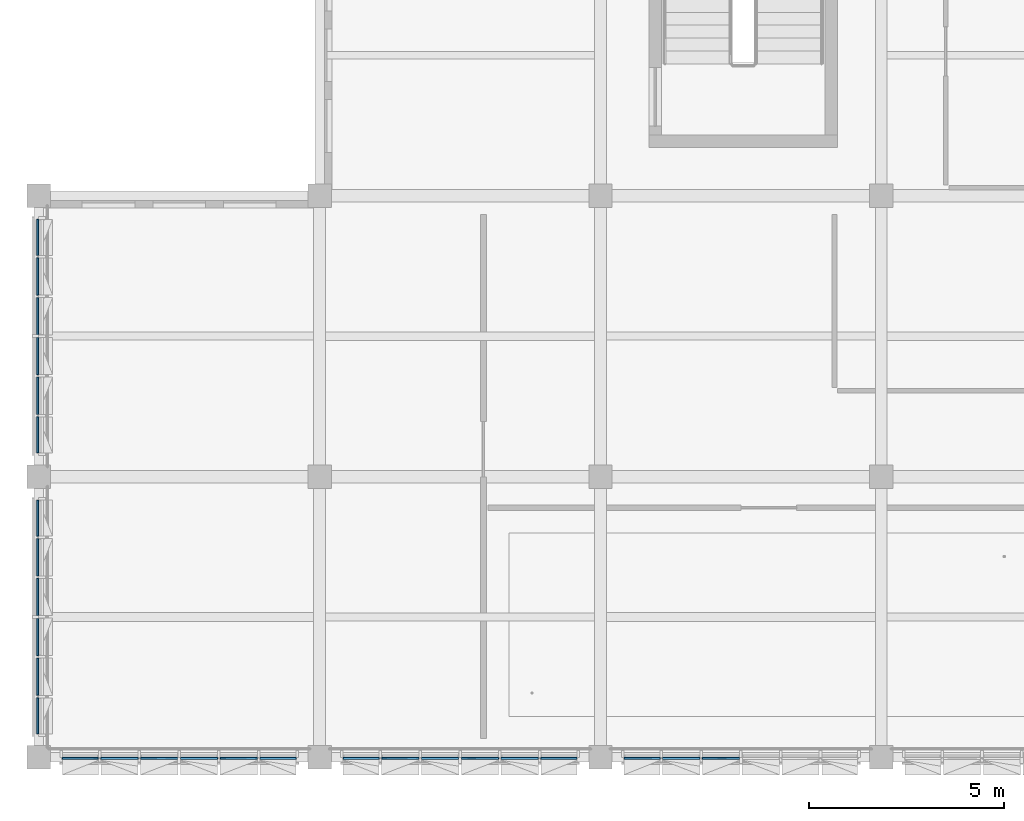
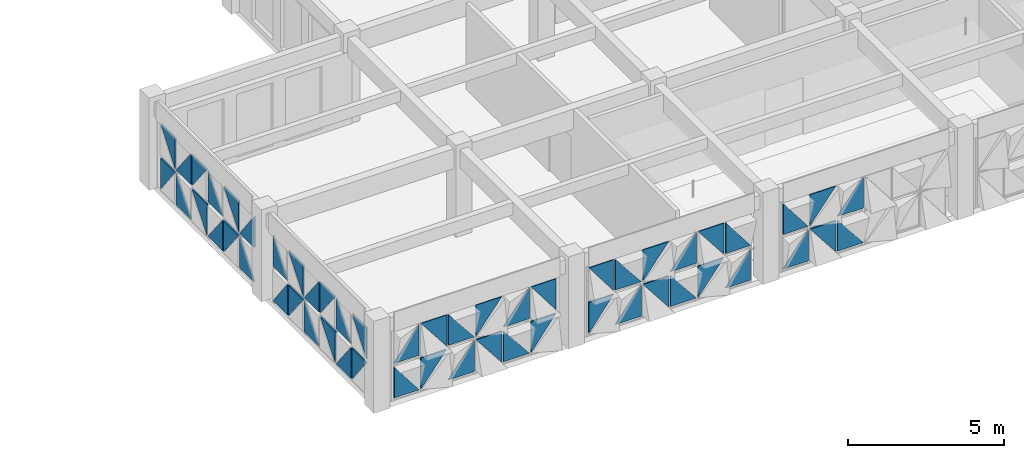
# One storey, part 32 of 99: 54 plates, 5 elements without a shape of their own.
"""IFC4 building model written with IfcOpenShell, lengths in metres."""

import ifcopenshell
import ifcopenshell.guid

model = None  # the IFC model being written
_history = None  # IfcOwnerHistory: only IFC2X3 demands one
_inside = {}  # id of a spatial element -> (the spatial element, [elements in it])
_under = {}  # id of a project, library or spatial element -> (it, [spatial elements below it])
_declared = {}  # id of a project -> (the project, [libraries it declares])
_typed = {}  # id of a type object -> (the type object, [elements of that type])
_made_of = {}  # id of a material, layer set ... -> (it, [elements and type objects made of it])


def new_model(schema):
    """Start an empty IFC model of exactly this schema.

    Asked for "IFC4X3", IfcOpenShell would pick the latest addendum, in which some entities
    have other attributes; the version numbers below select the first issue.
    IFC2X3 requires an IfcOwnerHistory on every rooted entity: one is made here for all.
    """
    global model, _history
    if schema == "IFC4X3":
        model = ifcopenshell.file(schema_version=(4, 3, 0, 0))
    else:
        model = ifcopenshell.file(schema=schema)
    _inside.clear()
    _under.clear()
    _declared.clear()
    _typed.clear()
    _made_of.clear()
    _history = None
    if model.schema == "IFC2X3":
        org = make("IfcOrganization", Name="unknown")
        user = make(
            "IfcPersonAndOrganization",
            ThePerson=make("IfcPerson", FamilyName="unknown"),
            TheOrganization=org,
        )
        app = make(
            "IfcApplication",
            ApplicationDeveloper=org,
            Version="unknown",
            ApplicationFullName="unknown",
            ApplicationIdentifier="unknown",
        )
        _history = make(
            "IfcOwnerHistory",
            OwningUser=user,
            OwningApplication=app,
            ChangeAction="ADDED",
            CreationDate=0,
        )
    return model


def make(cls, **values):
    """One entity of the class cls with the attributes given. An attribute that is None is left unset."""
    return model.create_entity(
        cls, **{name: value for name, value in values.items() if value is not None}
    )


def rooted(cls, **values):
    """An entity with a GlobalId (a new one), such as an element, a storey or a relation."""
    return make(cls, GlobalId=ifcopenshell.guid.new(), OwnerHistory=_history, **values)


def si_unit(unit_type, name, prefix=None):
    """IfcSIUnit, for example si_unit("LENGTHUNIT", "METRE", prefix="MILLI")."""
    return make("IfcSIUnit", UnitType=unit_type, Prefix=prefix, Name=name)


def assignment(units):
    """IfcUnitAssignment: the units of a project."""
    return None if units is None else make("IfcUnitAssignment", Units=units)


def point(xyz):
    """IfcCartesianPoint."""
    return None if xyz is None else make("IfcCartesianPoint", Coordinates=xyz)


def direction(xyz):
    """IfcDirection."""
    return None if xyz is None else make("IfcDirection", DirectionRatios=xyz)


def frame(location, z_axis=None, x_axis=None):
    """IfcAxis2Placement3D, a coordinate frame: its origin and axes. An axis left out is left unset."""
    return make(
        "IfcAxis2Placement3D",
        Location=point(location),
        Axis=direction(z_axis),
        RefDirection=direction(x_axis),
    )


def origin():
    """The frame at (0, 0, 0) with its axes left unset."""
    return frame((0.0, 0.0, 0.0))


def place(relative_to, where):
    """IfcLocalPlacement: puts the frame where relative to a parent placement (None: the world)."""
    return make(
        "IfcLocalPlacement", PlacementRelTo=relative_to, RelativePlacement=where
    )


def context(
    kind, dimensions, precision=None, world=None, true_north=None, identifier=None
):
    """IfcGeometricRepresentationContext, for example the 3D "Model" context."""
    return make(
        "IfcGeometricRepresentationContext",
        ContextIdentifier=identifier,
        ContextType=kind,
        CoordinateSpaceDimension=dimensions,
        Precision=precision,
        WorldCoordinateSystem=world,
        TrueNorth=true_north,
    )


def subcontext(parent, identifier, kind, view, scale=None):
    """IfcGeometricRepresentationSubContext, for example "Body" below "Model"."""
    return make(
        "IfcGeometricRepresentationSubContext",
        ContextIdentifier=identifier,
        ContextType=kind,
        ParentContext=parent,
        TargetScale=scale,
        TargetView=view,
    )


def project(units=None, contexts=None):
    """IfcProject with its units and contexts."""
    return rooted(
        "IfcProject",
        Name="project",
        RepresentationContexts=contexts,
        UnitsInContext=assignment(units),
    )


def spatial(cls, under=None, at=None, **own):
    """A site, building, storey or space (cls), placed at a placement, below another one or the project."""
    s = rooted(cls, ObjectPlacement=at, **own)
    if under is not None:
        _under.setdefault(under.id(), (under, []))[1].append(s)
    return s


def polyline(points):
    """IfcPolyline through the points."""
    return make("IfcPolyline", Points=[point(p) for p in points])


def outline(outer, holes=None, kind="AREA"):
    """IfcArbitraryClosedProfileDef: a profile drawn as a closed curve; with holes, ...WithVoids."""
    if holes is None:
        return make("IfcArbitraryClosedProfileDef", ProfileType=kind, OuterCurve=outer)
    return make(
        "IfcArbitraryProfileDefWithVoids",
        ProfileType=kind,
        OuterCurve=outer,
        InnerCurves=holes,
    )


def extrude(swept, where, along, depth):
    """IfcExtrudedAreaSolid: the profile swept, set in the frame where, extruded along a direction by depth."""
    return make(
        "IfcExtrudedAreaSolid",
        SweptArea=swept,
        Position=where,
        ExtrudedDirection=direction(along),
        Depth=depth,
    )


def shape(context_of_items, identifier, shape_type, items):
    """IfcShapeRepresentation: the items that make up one representation, for example the "Body"."""
    return make(
        "IfcShapeRepresentation",
        ContextOfItems=context_of_items,
        RepresentationIdentifier=identifier,
        RepresentationType=shape_type,
        Items=items,
    )


def material(Name=None, Category=None):
    """IfcMaterial."""
    return make("IfcMaterial", Name=Name, Category=Category)


def layer(
    of_material, thickness, ventilated=None, Name=None, Category=None, Priority=None
):
    """IfcMaterialLayer: one layer of a wall or slab, of a material (None: an air gap)."""
    return make(
        "IfcMaterialLayer",
        Material=of_material,
        LayerThickness=thickness,
        IsVentilated=ventilated,
        Name=Name,
        Category=Category,
        Priority=Priority,
    )


def layer_set(layers, Name=None):
    """IfcMaterialLayerSet."""
    return make("IfcMaterialLayerSet", MaterialLayers=layers, LayerSetName=Name)


def made_of(thing, what):
    """Note that an element or type object is made of a material, layer set ...; save() writes the relation."""
    if what is not None:
        _made_of.setdefault(what.id(), (what, []))[1].append(thing)
    return thing


def type_object(cls, material=None, **own):
    """A type object (cls), such as IfcWallType, which elements share."""
    return made_of(rooted(cls, **own), material)


def element(
    cls,
    number,
    at=None,
    inside=None,
    cuts=None,
    type_object=None,
    material=None,
    context=None,
    identifier="Body",
    shape_type=None,
    held_by="IfcProductDefinitionShape",
    body=None,
    shapes=None,
    **own,
):
    """One element of the class cls, such as IfcWall. Its Tag is "e" and its number.

    at: its placement. inside: the storey or other place that contains it. cuts: it is an
    opening in that element (IfcRelVoidsElement). A single representation is given by context,
    identifier, shape_type and body (its items); several are given by shapes. held_by: the class
    of the entity that holds the representations. save() writes the other relations.
    """
    e = rooted(cls, Tag="e%d" % number, ObjectPlacement=at, **own)
    if body is not None:
        shapes = [shape(context, identifier, shape_type, body)]
    if shapes is not None:
        e.Representation = make(held_by, Representations=shapes)
    if inside is not None:
        _inside.setdefault(inside.id(), (inside, []))[1].append(e)
    if cuts is not None:
        rooted(
            "IfcRelVoidsElement", RelatingBuildingElement=cuts, RelatedOpeningElement=e
        )
    if type_object is not None:
        _typed.setdefault(type_object.id(), (type_object, []))[1].append(e)
    return made_of(e, material)


def aggregate(whole, parts):
    """IfcRelAggregates: a whole, such as a stair, and the parts it consists of."""
    return rooted("IfcRelAggregates", RelatingObject=whole, RelatedObjects=parts)


def save(model, path):
    """Write the relations noted so far, then the file.

    IfcRelAggregates (storeys below a building ...), IfcRelContainedInSpatialStructure (elements
    in a storey), IfcRelDefinesByType, IfcRelAssociatesMaterial and IfcRelDeclares: one each for
    every whole, place, type object, material and project.
    """
    for whole, parts in _under.values():
        aggregate(whole, parts)
    for where, things in _inside.values():
        rooted(
            "IfcRelContainedInSpatialStructure",
            RelatedElements=things,
            RelatingStructure=where,
        )
    for kind, things in _typed.values():
        rooted("IfcRelDefinesByType", RelatedObjects=things, RelatingType=kind)
    for what, things in _made_of.values():
        rooted("IfcRelAssociatesMaterial", RelatedObjects=things, RelatingMaterial=what)
    for by, libraries in _declared.values():
        rooted("IfcRelDeclares", RelatingContext=by, RelatedDefinitions=libraries)
    model.write(path)


model = new_model("IFC4")

# Units and contexts
model_context = context("Model", 3, precision=1e-05, world=origin(), true_north=direction((0.0, 1.0)))
body_context = subcontext(model_context, "Body", "Model", "MODEL_VIEW")
ifc_project = project(units=[si_unit("LENGTHUNIT", "METRE"), si_unit("AREAUNIT", "SQUARE_METRE"), si_unit("VOLUMEUNIT", "CUBIC_METRE"), si_unit("PLANEANGLEUNIT", "RADIAN"), si_unit("MASSUNIT", "GRAM", prefix="KILO")], contexts=[model_context])

# Site, building, storey
site_placement = place(None, origin())
site = spatial("IfcSite", under=ifc_project, at=site_placement, CompositionType="ELEMENT")
building_placement = place(site_placement, origin())
building = spatial("IfcBuilding", under=site, at=building_placement, Name="Alvorim Cloister Faculty of Sciences", CompositionType="ELEMENT")
storey_placement = place(building_placement, frame((0.0, 0.0, 12.14990234375)))
storey = spatial("IfcBuildingStorey", under=building, at=storey_placement, Name="L03", CompositionType="ELEMENT", Elevation=12.14990234375)

# Curtain wall, plates
ifc_material_1 = material(Name="Aluminium and Low-E Glass Curtain Wall", Category="aluminium")
curtain_wall_type = type_object("IfcCurtainWallType", Name="CW-TRI-6120x2850", PredefinedType="USERDEFINED", material=ifc_material_1)
curtain_wall_1_placement = place(storey_placement, origin())
curtain_wall_1 = element("IfcCurtainWall", 1, at=curtain_wall_1_placement, inside=storey, type_object=curtain_wall_type, Name="L03 Diagonal Cassette Curtain Wall CW-0150", ObjectType="UNITISED CURTAIN WALL", PredefinedType="USERDEFINED")
ifc_material_2 = material(Name="Double Low-E Laminated Glass", Category="glass")
ifc_layer = layer(ifc_material_2, 0.0400390625)
ifc_layer_set = layer_set([ifc_layer], Name="Double Low-E Laminated Glass")
plate_type = type_object("IfcPlateType", Name="PN-GLZ-40", PredefinedType="CURTAIN_PANEL", material=ifc_layer_set)
plate_1_placement = place(storey_placement, frame((15.0048828125, -0.02490234375, 0.14013671875), z_axis=(0.0, 0.0, 1.0), x_axis=(1.0, 0.0, 0.0)))
plate_1 = element("IfcPlate", 2, at=plate_1_placement, type_object=plate_type, Name="Diagonal Glazed Triangle TRI-BR", PredefinedType="CURTAIN_PANEL", context=body_context, shape_type="SweptSolid", body=[
    extrude(outline(polyline([(0.001953125, 0.0), (0.922607421875, 0.0), (0.922607421875, 1.212890625), (0.001953125, 0.0)])), frame((0.0, 0.02490234375, 0.0), z_axis=(0.0, -1.0, 0.0), x_axis=(1.0, 0.0, 0.0)), (0.0, 0.0, 1.0), 0.050048828125),
])
plate_2_placement = place(storey_placement, frame((15.0048828125, -0.02490234375, 1.4951171875), z_axis=(0.0, 0.0, 1.0), x_axis=(1.0, 0.0, 0.0)))
plate_2 = element("IfcPlate", 3, at=plate_2_placement, type_object=plate_type, Name="Diagonal Glazed Triangle TRI-BL", PredefinedType="CURTAIN_PANEL", context=body_context, shape_type="SweptSolid", body=[
    extrude(outline(polyline([(0.0, 0.0), (0.920654296875, 0.0), (0.0, 1.213134765625), (0.0, 0.0)])), frame((0.0, 0.02490234375, 0.0), z_axis=(0.0, -1.0, 0.0), x_axis=(1.0, 0.0, 0.0)), (0.0, 0.0, 1.0), 0.050048828125),
])
plate_3_placement = place(storey_placement, frame((15.992431640625, -0.02490234375, 0.14013671875), z_axis=(0.0, 0.0, 1.0), x_axis=(1.0, 0.0, 0.0)))
plate_3 = element("IfcPlate", 4, at=plate_3_placement, type_object=plate_type, Name="Diagonal Glazed Triangle TRI-TR", PredefinedType="CURTAIN_PANEL", context=body_context, shape_type="SweptSolid", body=[
    extrude(outline(polyline([(0.955078125, 0.001953125), (0.955078125, 1.21484375), (0.001953125, 1.21484375), (0.955078125, 0.001953125)])), frame((0.0, 0.02490234375, 0.0), z_axis=(0.0, -1.0, 0.0), x_axis=(1.0, 0.0, 0.0)), (0.0, 0.0, 1.0), 0.050048828125),
])
plate_4_placement = place(storey_placement, frame((15.992431640625, -0.02490234375, 1.4951171875), z_axis=(0.0, 0.0, 1.0), x_axis=(1.0, 0.0, 0.0)))
plate_4 = element("IfcPlate", 5, at=plate_4_placement, type_object=plate_type, Name="Diagonal Glazed Triangle TRI-TL", PredefinedType="CURTAIN_PANEL", context=body_context, shape_type="SweptSolid", body=[
    extrude(outline(polyline([(0.953125, 1.215087890625), (0.0, 1.215087890625), (0.0, 0.001953125), (0.953125, 1.215087890625)])), frame((0.0, 0.02490234375, 0.0), z_axis=(0.0, -1.0, 0.0), x_axis=(1.0, 0.0, 0.0)), (0.0, 0.0, 1.0), 0.050048828125),
])
plate_5_placement = place(storey_placement, frame((17.012451171875, -0.02490234375, 0.14013671875), z_axis=(0.0, 0.0, 1.0), x_axis=(1.0, 0.0, 0.0)))
plate_5 = element("IfcPlate", 6, at=plate_5_placement, type_object=plate_type, Name="Diagonal Glazed Triangle TRI-BL", PredefinedType="CURTAIN_PANEL", context=body_context, shape_type="SweptSolid", body=[
    extrude(outline(polyline([(0.0, 0.0), (0.953125, 0.0), (0.0, 1.212890625), (0.0, 0.0)])), frame((0.0, 0.02490234375, 0.0), z_axis=(0.0, -1.0, 0.0), x_axis=(1.0, 0.0, 0.0)), (0.0, 0.0, 1.0), 0.050048828125),
])
plate_6_placement = place(storey_placement, frame((17.012451171875, -0.02490234375, 1.4951171875), z_axis=(0.0, 0.0, 1.0), x_axis=(1.0, 0.0, 0.0)))
plate_6 = element("IfcPlate", 7, at=plate_6_placement, type_object=plate_type, Name="Diagonal Glazed Triangle TRI-BR", PredefinedType="CURTAIN_PANEL", context=body_context, shape_type="SweptSolid", body=[
    extrude(outline(polyline([(0.001953125, 0.0), (0.955078125, 0.0), (0.955078125, 1.213134765625), (0.001953125, 0.0)])), frame((0.0, 0.02490234375, 0.0), z_axis=(0.0, -1.0, 0.0), x_axis=(1.0, 0.0, 0.0)), (0.0, 0.0, 1.0), 0.050048828125),
])
aggregate(curtain_wall_1, [plate_1, plate_2, plate_3, plate_4, plate_5, plate_6])

curtain_wall_2_placement = place(storey_placement, origin())
curtain_wall_2 = element("IfcCurtainWall", 8, at=curtain_wall_2_placement, inside=storey, type_object=curtain_wall_type, Name="L03 Diagonal Cassette Curtain Wall CW-0151", ObjectType="UNITISED CURTAIN WALL", PredefinedType="USERDEFINED")
plate_7_placement = place(storey_placement, frame((7.804931640625, -0.02490234375, 0.14013671875), z_axis=(0.0, 0.0, 1.0), x_axis=(1.0, 0.0, 0.0)))
plate_7 = element("IfcPlate", 9, at=plate_7_placement, type_object=plate_type, Name="Diagonal Glazed Triangle TRI-TL", PredefinedType="CURTAIN_PANEL", context=body_context, shape_type="SweptSolid", body=[
    extrude(outline(polyline([(0.920654296875, 1.21484375), (0.0, 1.21484375), (0.0, 0.001953125), (0.920654296875, 1.21484375)])), frame((0.0, 0.02490234375, 0.0), z_axis=(0.0, -1.0, 0.0), x_axis=(1.0, 0.0, 0.0)), (0.0, 0.0, 1.0), 0.050048828125),
])
plate_8_placement = place(storey_placement, frame((7.804931640625, -0.02490234375, 1.4951171875), z_axis=(0.0, 0.0, 1.0), x_axis=(1.0, 0.0, 0.0)))
plate_8 = element("IfcPlate", 10, at=plate_8_placement, type_object=plate_type, Name="Diagonal Glazed Triangle TRI-TR", PredefinedType="CURTAIN_PANEL", context=body_context, shape_type="SweptSolid", body=[
    extrude(outline(polyline([(0.922607421875, 0.001953125), (0.922607421875, 1.215087890625), (0.001953125, 1.215087890625), (0.922607421875, 0.001953125)])), frame((0.0, 0.02490234375, 0.0), z_axis=(0.0, -1.0, 0.0), x_axis=(1.0, 0.0, 0.0)), (0.0, 0.0, 1.0), 0.050048828125),
])
plate_9_placement = place(storey_placement, frame((8.79248046875, -0.02490234375, 0.14013671875), z_axis=(0.0, 0.0, 1.0), x_axis=(1.0, 0.0, 0.0)))
plate_9 = element("IfcPlate", 11, at=plate_9_placement, type_object=plate_type, Name="Diagonal Glazed Triangle TRI-BR", PredefinedType="CURTAIN_PANEL", context=body_context, shape_type="SweptSolid", body=[
    extrude(outline(polyline([(0.001953125, 0.0), (0.955078125, 0.0), (0.955078125, 1.212890625), (0.001953125, 0.0)])), frame((0.0, 0.02490234375, 0.0), z_axis=(0.0, -1.0, 0.0), x_axis=(1.0, 0.0, 0.0)), (0.0, 0.0, 1.0), 0.050048828125),
])
plate_10_placement = place(storey_placement, frame((8.79248046875, -0.02490234375, 1.4951171875), z_axis=(0.0, 0.0, 1.0), x_axis=(1.0, 0.0, 0.0)))
plate_10 = element("IfcPlate", 12, at=plate_10_placement, type_object=plate_type, Name="Diagonal Glazed Triangle TRI-BL", PredefinedType="CURTAIN_PANEL", context=body_context, shape_type="SweptSolid", body=[
    extrude(outline(polyline([(0.0, 0.0), (0.953125, 0.0), (0.0, 1.213134765625), (0.0, 0.0)])), frame((0.0, 0.02490234375, 0.0), z_axis=(0.0, -1.0, 0.0), x_axis=(1.0, 0.0, 0.0)), (0.0, 0.0, 1.0), 0.050048828125),
])
plate_11_placement = place(storey_placement, frame((9.8125, -0.02490234375, 0.14013671875), z_axis=(0.0, 0.0, 1.0), x_axis=(1.0, 0.0, 0.0)))
plate_11 = element("IfcPlate", 13, at=plate_11_placement, type_object=plate_type, Name="Diagonal Glazed Triangle TRI-TR", PredefinedType="CURTAIN_PANEL", context=body_context, shape_type="SweptSolid", body=[
    extrude(outline(polyline([(0.955078125, 0.001953125), (0.955078125, 1.21484375), (0.001953125, 1.21484375), (0.955078125, 0.001953125)])), frame((0.0, 0.02490234375, 0.0), z_axis=(0.0, -1.0, 0.0), x_axis=(1.0, 0.0, 0.0)), (0.0, 0.0, 1.0), 0.050048828125),
])
plate_12_placement = place(storey_placement, frame((9.8125, -0.02490234375, 1.4951171875), z_axis=(0.0, 0.0, 1.0), x_axis=(1.0, 0.0, 0.0)))
plate_12 = element("IfcPlate", 14, at=plate_12_placement, type_object=plate_type, Name="Diagonal Glazed Triangle TRI-TL", PredefinedType="CURTAIN_PANEL", context=body_context, shape_type="SweptSolid", body=[
    extrude(outline(polyline([(0.953125, 1.215087890625), (0.0, 1.215087890625), (0.0, 0.001953125), (0.953125, 1.215087890625)])), frame((0.0, 0.02490234375, 0.0), z_axis=(0.0, -1.0, 0.0), x_axis=(1.0, 0.0, 0.0)), (0.0, 0.0, 1.0), 0.050048828125),
])
plate_13_placement = place(storey_placement, frame((10.83251953125, -0.02490234375, 0.14013671875), z_axis=(0.0, 0.0, 1.0), x_axis=(1.0, 0.0, 0.0)))
plate_13 = element("IfcPlate", 15, at=plate_13_placement, type_object=plate_type, Name="Diagonal Glazed Triangle TRI-BL", PredefinedType="CURTAIN_PANEL", context=body_context, shape_type="SweptSolid", body=[
    extrude(outline(polyline([(0.0, 0.0), (0.953125, 0.0), (0.0, 1.212890625), (0.0, 0.0)])), frame((0.0, 0.02490234375, 0.0), z_axis=(0.0, -1.0, 0.0), x_axis=(1.0, 0.0, 0.0)), (0.0, 0.0, 1.0), 0.050048828125),
])
plate_14_placement = place(storey_placement, frame((10.83251953125, -0.02490234375, 1.4951171875), z_axis=(0.0, 0.0, 1.0), x_axis=(1.0, 0.0, 0.0)))
plate_14 = element("IfcPlate", 16, at=plate_14_placement, type_object=plate_type, Name="Diagonal Glazed Triangle TRI-BR", PredefinedType="CURTAIN_PANEL", context=body_context, shape_type="SweptSolid", body=[
    extrude(outline(polyline([(0.001953125, 0.0), (0.955078125, 0.0), (0.955078125, 1.213134765625), (0.001953125, 0.0)])), frame((0.0, 0.02490234375, 0.0), z_axis=(0.0, -1.0, 0.0), x_axis=(1.0, 0.0, 0.0)), (0.0, 0.0, 1.0), 0.050048828125),
])
plate_15_placement = place(storey_placement, frame((11.8525390625, -0.02490234375, 0.14013671875), z_axis=(0.0, 0.0, 1.0), x_axis=(1.0, 0.0, 0.0)))
plate_15 = element("IfcPlate", 17, at=plate_15_placement, type_object=plate_type, Name="Diagonal Glazed Triangle TRI-TL", PredefinedType="CURTAIN_PANEL", context=body_context, shape_type="SweptSolid", body=[
    extrude(outline(polyline([(0.953125, 1.21484375), (0.0, 1.21484375), (0.0, 0.001953125), (0.953125, 1.21484375)])), frame((0.0, 0.02490234375, 0.0), z_axis=(0.0, -1.0, 0.0), x_axis=(1.0, 0.0, 0.0)), (0.0, 0.0, 1.0), 0.050048828125),
])
plate_16_placement = place(storey_placement, frame((11.8525390625, -0.02490234375, 1.4951171875), z_axis=(0.0, 0.0, 1.0), x_axis=(1.0, 0.0, 0.0)))
plate_16 = element("IfcPlate", 18, at=plate_16_placement, type_object=plate_type, Name="Diagonal Glazed Triangle TRI-TR", PredefinedType="CURTAIN_PANEL", context=body_context, shape_type="SweptSolid", body=[
    extrude(outline(polyline([(0.955078125, 0.001953125), (0.955078125, 1.215087890625), (0.001953125, 1.215087890625), (0.955078125, 0.001953125)])), frame((0.0, 0.02490234375, 0.0), z_axis=(0.0, -1.0, 0.0), x_axis=(1.0, 0.0, 0.0)), (0.0, 0.0, 1.0), 0.050048828125),
])
plate_17_placement = place(storey_placement, frame((12.87255859375, -0.02490234375, 0.14013671875), z_axis=(0.0, 0.0, 1.0), x_axis=(1.0, 0.0, 0.0)))
plate_17 = element("IfcPlate", 19, at=plate_17_placement, type_object=plate_type, Name="Diagonal Glazed Triangle TRI-BR", PredefinedType="CURTAIN_PANEL", context=body_context, shape_type="SweptSolid", body=[
    extrude(outline(polyline([(0.001953125, 0.0), (0.922607421875, 0.0), (0.922607421875, 1.212890625), (0.001953125, 0.0)])), frame((0.0, 0.02490234375, 0.0), z_axis=(0.0, -1.0, 0.0), x_axis=(1.0, 0.0, 0.0)), (0.0, 0.0, 1.0), 0.050048828125),
])
plate_18_placement = place(storey_placement, frame((12.87255859375, -0.02490234375, 1.4951171875), z_axis=(0.0, 0.0, 1.0), x_axis=(1.0, 0.0, 0.0)))
plate_18 = element("IfcPlate", 20, at=plate_18_placement, type_object=plate_type, Name="Diagonal Glazed Triangle TRI-BL", PredefinedType="CURTAIN_PANEL", context=body_context, shape_type="SweptSolid", body=[
    extrude(outline(polyline([(0.0, 0.0), (0.920654296875, 0.0), (0.0, 1.213134765625), (0.0, 0.0)])), frame((0.0, 0.02490234375, 0.0), z_axis=(0.0, -1.0, 0.0), x_axis=(1.0, 0.0, 0.0)), (0.0, 0.0, 1.0), 0.050048828125),
])
aggregate(curtain_wall_2, [plate_7, plate_8, plate_9, plate_10, plate_11, plate_12, plate_13, plate_14, plate_15, plate_16, plate_17, plate_18])

curtain_wall_3_placement = place(storey_placement, origin())
curtain_wall_3 = element("IfcCurtainWall", 21, at=curtain_wall_3_placement, inside=storey, type_object=curtain_wall_type, Name="L03 Diagonal Cassette Curtain Wall CW-0152", ObjectType="UNITISED CURTAIN WALL", PredefinedType="USERDEFINED")
plate_19_placement = place(storey_placement, frame((0.60498046875, -0.02490234375, 0.14013671875), z_axis=(0.0, 0.0, 1.0), x_axis=(1.0, 0.0, 0.0)))
plate_19 = element("IfcPlate", 22, at=plate_19_placement, type_object=plate_type, Name="Diagonal Glazed Triangle TRI-BL", PredefinedType="CURTAIN_PANEL", context=body_context, shape_type="SweptSolid", body=[
    extrude(outline(polyline([(0.0, 0.0), (0.920654296875, 0.0), (0.0, 1.212890625), (0.0, 0.0)])), frame((0.0, 0.02490234375, 0.0), z_axis=(0.0, -1.0, 0.0), x_axis=(1.0, 0.0, 0.0)), (0.0, 0.0, 1.0), 0.050048828125),
])
plate_20_placement = place(storey_placement, frame((0.60498046875, -0.02490234375, 1.4951171875), z_axis=(0.0, 0.0, 1.0), x_axis=(1.0, 0.0, 0.0)))
plate_20 = element("IfcPlate", 23, at=plate_20_placement, type_object=plate_type, Name="Diagonal Glazed Triangle TRI-BR", PredefinedType="CURTAIN_PANEL", context=body_context, shape_type="SweptSolid", body=[
    extrude(outline(polyline([(0.001953125, 0.0), (0.922607421875, 0.0), (0.922607421875, 1.213134765625), (0.001953125, 0.0)])), frame((0.0, 0.02490234375, 0.0), z_axis=(0.0, -1.0, 0.0), x_axis=(1.0, 0.0, 0.0)), (0.0, 0.0, 1.0), 0.050048828125),
])
plate_21_placement = place(storey_placement, frame((1.592529296875, -0.02490234375, 0.14013671875), z_axis=(0.0, 0.0, 1.0), x_axis=(1.0, 0.0, 0.0)))
plate_21 = element("IfcPlate", 24, at=plate_21_placement, type_object=plate_type, Name="Diagonal Glazed Triangle TRI-TL", PredefinedType="CURTAIN_PANEL", context=body_context, shape_type="SweptSolid", body=[
    extrude(outline(polyline([(0.953125, 1.21484375), (0.0, 1.21484375), (0.0, 0.001953125), (0.953125, 1.21484375)])), frame((0.0, 0.02490234375, 0.0), z_axis=(0.0, -1.0, 0.0), x_axis=(1.0, 0.0, 0.0)), (0.0, 0.0, 1.0), 0.050048828125),
])
plate_22_placement = place(storey_placement, frame((1.592529296875, -0.02490234375, 1.4951171875), z_axis=(0.0, 0.0, 1.0), x_axis=(1.0, 0.0, 0.0)))
plate_22 = element("IfcPlate", 25, at=plate_22_placement, type_object=plate_type, Name="Diagonal Glazed Triangle TRI-TR", PredefinedType="CURTAIN_PANEL", context=body_context, shape_type="SweptSolid", body=[
    extrude(outline(polyline([(0.955078125, 0.001953125), (0.955078125, 1.215087890625), (0.001953125, 1.215087890625), (0.955078125, 0.001953125)])), frame((0.0, 0.02490234375, 0.0), z_axis=(0.0, -1.0, 0.0), x_axis=(1.0, 0.0, 0.0)), (0.0, 0.0, 1.0), 0.050048828125),
])
plate_23_placement = place(storey_placement, frame((2.612548828125, -0.02490234375, 0.14013671875), z_axis=(0.0, 0.0, 1.0), x_axis=(1.0, 0.0, 0.0)))
plate_23 = element("IfcPlate", 26, at=plate_23_placement, type_object=plate_type, Name="Diagonal Glazed Triangle TRI-BR", PredefinedType="CURTAIN_PANEL", context=body_context, shape_type="SweptSolid", body=[
    extrude(outline(polyline([(0.001953125, 0.0), (0.955078125, 0.0), (0.955078125, 1.212890625), (0.001953125, 0.0)])), frame((0.0, 0.02490234375, 0.0), z_axis=(0.0, -1.0, 0.0), x_axis=(1.0, 0.0, 0.0)), (0.0, 0.0, 1.0), 0.050048828125),
])
plate_24_placement = place(storey_placement, frame((2.612548828125, -0.02490234375, 1.4951171875), z_axis=(0.0, 0.0, 1.0), x_axis=(1.0, 0.0, 0.0)))
plate_24 = element("IfcPlate", 27, at=plate_24_placement, type_object=plate_type, Name="Diagonal Glazed Triangle TRI-BL", PredefinedType="CURTAIN_PANEL", context=body_context, shape_type="SweptSolid", body=[
    extrude(outline(polyline([(0.0, 0.0), (0.953125, 0.0), (0.0, 1.213134765625), (0.0, 0.0)])), frame((0.0, 0.02490234375, 0.0), z_axis=(0.0, -1.0, 0.0), x_axis=(1.0, 0.0, 0.0)), (0.0, 0.0, 1.0), 0.050048828125),
])
plate_25_placement = place(storey_placement, frame((3.632568359375, -0.02490234375, 0.14013671875), z_axis=(0.0, 0.0, 1.0), x_axis=(1.0, 0.0, 0.0)))
plate_25 = element("IfcPlate", 28, at=plate_25_placement, type_object=plate_type, Name="Diagonal Glazed Triangle TRI-TR", PredefinedType="CURTAIN_PANEL", context=body_context, shape_type="SweptSolid", body=[
    extrude(outline(polyline([(0.955078125, 0.001953125), (0.955078125, 1.21484375), (0.001953125, 1.21484375), (0.955078125, 0.001953125)])), frame((0.0, 0.02490234375, 0.0), z_axis=(0.0, -1.0, 0.0), x_axis=(1.0, 0.0, 0.0)), (0.0, 0.0, 1.0), 0.050048828125),
])
plate_26_placement = place(storey_placement, frame((3.632568359375, -0.02490234375, 1.4951171875), z_axis=(0.0, 0.0, 1.0), x_axis=(1.0, 0.0, 0.0)))
plate_26 = element("IfcPlate", 29, at=plate_26_placement, type_object=plate_type, Name="Diagonal Glazed Triangle TRI-TL", PredefinedType="CURTAIN_PANEL", context=body_context, shape_type="SweptSolid", body=[
    extrude(outline(polyline([(0.953125, 1.215087890625), (0.0, 1.215087890625), (0.0, 0.001953125), (0.953125, 1.215087890625)])), frame((0.0, 0.02490234375, 0.0), z_axis=(0.0, -1.0, 0.0), x_axis=(1.0, 0.0, 0.0)), (0.0, 0.0, 1.0), 0.050048828125),
])
plate_27_placement = place(storey_placement, frame((4.652587890625, -0.02490234375, 0.14013671875), z_axis=(0.0, 0.0, 1.0), x_axis=(1.0, 0.0, 0.0)))
plate_27 = element("IfcPlate", 30, at=plate_27_placement, type_object=plate_type, Name="Diagonal Glazed Triangle TRI-BL", PredefinedType="CURTAIN_PANEL", context=body_context, shape_type="SweptSolid", body=[
    extrude(outline(polyline([(0.0, 0.0), (0.953125, 0.0), (0.0, 1.212890625), (0.0, 0.0)])), frame((0.0, 0.02490234375, 0.0), z_axis=(0.0, -1.0, 0.0), x_axis=(1.0, 0.0, 0.0)), (0.0, 0.0, 1.0), 0.050048828125),
])
plate_28_placement = place(storey_placement, frame((4.652587890625, -0.02490234375, 1.4951171875), z_axis=(0.0, 0.0, 1.0), x_axis=(1.0, 0.0, 0.0)))
plate_28 = element("IfcPlate", 31, at=plate_28_placement, type_object=plate_type, Name="Diagonal Glazed Triangle TRI-BR", PredefinedType="CURTAIN_PANEL", context=body_context, shape_type="SweptSolid", body=[
    extrude(outline(polyline([(0.001953125, 0.0), (0.955078125, 0.0), (0.955078125, 1.213134765625), (0.001953125, 0.0)])), frame((0.0, 0.02490234375, 0.0), z_axis=(0.0, -1.0, 0.0), x_axis=(1.0, 0.0, 0.0)), (0.0, 0.0, 1.0), 0.050048828125),
])
plate_29_placement = place(storey_placement, frame((5.672607421875, -0.02490234375, 0.14013671875), z_axis=(0.0, 0.0, 1.0), x_axis=(1.0, 0.0, 0.0)))
plate_29 = element("IfcPlate", 32, at=plate_29_placement, type_object=plate_type, Name="Diagonal Glazed Triangle TRI-TL", PredefinedType="CURTAIN_PANEL", context=body_context, shape_type="SweptSolid", body=[
    extrude(outline(polyline([(0.920654296875, 1.21484375), (0.0, 1.21484375), (0.0, 0.001953125), (0.920654296875, 1.21484375)])), frame((0.0, 0.02490234375, 0.0), z_axis=(0.0, -1.0, 0.0), x_axis=(1.0, 0.0, 0.0)), (0.0, 0.0, 1.0), 0.050048828125),
])
plate_30_placement = place(storey_placement, frame((5.672607421875, -0.02490234375, 1.4951171875), z_axis=(0.0, 0.0, 1.0), x_axis=(1.0, 0.0, 0.0)))
plate_30 = element("IfcPlate", 33, at=plate_30_placement, type_object=plate_type, Name="Diagonal Glazed Triangle TRI-TR", PredefinedType="CURTAIN_PANEL", context=body_context, shape_type="SweptSolid", body=[
    extrude(outline(polyline([(0.922607421875, 0.001953125), (0.922607421875, 1.215087890625), (0.001953125, 1.215087890625), (0.922607421875, 0.001953125)])), frame((0.0, 0.02490234375, 0.0), z_axis=(0.0, -1.0, 0.0), x_axis=(1.0, 0.0, 0.0)), (0.0, 0.0, 1.0), 0.050048828125),
])
aggregate(curtain_wall_3, [plate_19, plate_20, plate_21, plate_22, plate_23, plate_24, plate_25, plate_26, plate_27, plate_28, plate_29, plate_30])

curtain_wall_4_placement = place(storey_placement, origin())
curtain_wall_4 = element("IfcCurtainWall", 34, at=curtain_wall_4_placement, inside=storey, type_object=curtain_wall_type, Name="L03 Diagonal Cassette Curtain Wall CW-0153", ObjectType="UNITISED CURTAIN WALL", PredefinedType="USERDEFINED")
plate_31_placement = place(storey_placement, frame((-0.02490234375, 0.60498046875, 0.14013671875), z_axis=(0.0, 0.0, 1.0), x_axis=(0.0, 1.0, 0.0)))
plate_31 = element("IfcPlate", 35, at=plate_31_placement, type_object=plate_type, Name="Diagonal Glazed Triangle TRI-TR", PredefinedType="CURTAIN_PANEL", context=body_context, shape_type="SweptSolid", body=[
    extrude(outline(polyline([(0.922607421875, 0.001953125), (0.922607421875, 1.21484375), (0.001953125, 1.21484375), (0.922607421875, 0.001953125)])), frame((0.0, 0.02490234375, 0.0), z_axis=(0.0, -1.0, 0.0), x_axis=(1.0, 0.0, 0.0)), (0.0, 0.0, 1.0), 0.050048828125),
])
plate_32_placement = place(storey_placement, frame((-0.02490234375, 0.60498046875, 1.4951171875), z_axis=(0.0, 0.0, 1.0), x_axis=(0.0, 1.0, 0.0)))
plate_32 = element("IfcPlate", 36, at=plate_32_placement, type_object=plate_type, Name="Diagonal Glazed Triangle TRI-TL", PredefinedType="CURTAIN_PANEL", context=body_context, shape_type="SweptSolid", body=[
    extrude(outline(polyline([(0.920654296875, 1.215087890625), (0.0, 1.215087890625), (0.0, 0.001953125), (0.920654296875, 1.215087890625)])), frame((0.0, 0.02490234375, 0.0), z_axis=(0.0, -1.0, 0.0), x_axis=(1.0, 0.0, 0.0)), (0.0, 0.0, 1.0), 0.050048828125),
])
plate_33_placement = place(storey_placement, frame((-0.02490234375, 1.592529296875, 0.14013671875), z_axis=(0.0, 0.0, 1.0), x_axis=(0.0, 1.0, 0.0)))
plate_33 = element("IfcPlate", 37, at=plate_33_placement, type_object=plate_type, Name="Diagonal Glazed Triangle TRI-BL", PredefinedType="CURTAIN_PANEL", context=body_context, shape_type="SweptSolid", body=[
    extrude(outline(polyline([(0.0, 0.0), (0.953125, 0.0), (0.0, 1.212890625), (0.0, 0.0)])), frame((0.0, 0.02490234375, 0.0), z_axis=(0.0, -1.0, 0.0), x_axis=(1.0, 0.0, 0.0)), (0.0, 0.0, 1.0), 0.050048828125),
])
plate_34_placement = place(storey_placement, frame((-0.02490234375, 1.592529296875, 1.4951171875), z_axis=(0.0, 0.0, 1.0), x_axis=(0.0, 1.0, 0.0)))
plate_34 = element("IfcPlate", 38, at=plate_34_placement, type_object=plate_type, Name="Diagonal Glazed Triangle TRI-BR", PredefinedType="CURTAIN_PANEL", context=body_context, shape_type="SweptSolid", body=[
    extrude(outline(polyline([(0.001953125, 0.0), (0.955078125, 0.0), (0.955078125, 1.213134765625), (0.001953125, 0.0)])), frame((0.0, 0.02490234375, 0.0), z_axis=(0.0, -1.0, 0.0), x_axis=(1.0, 0.0, 0.0)), (0.0, 0.0, 1.0), 0.050048828125),
])
plate_35_placement = place(storey_placement, frame((-0.02490234375, 2.612548828125, 0.14013671875), z_axis=(0.0, 0.0, 1.0), x_axis=(0.0, 1.0, 0.0)))
plate_35 = element("IfcPlate", 39, at=plate_35_placement, type_object=plate_type, Name="Diagonal Glazed Triangle TRI-TL", PredefinedType="CURTAIN_PANEL", context=body_context, shape_type="SweptSolid", body=[
    extrude(outline(polyline([(0.953125, 1.21484375), (0.0, 1.21484375), (0.0, 0.001953125), (0.953125, 1.21484375)])), frame((0.0, 0.02490234375, 0.0), z_axis=(0.0, -1.0, 0.0), x_axis=(1.0, 0.0, 0.0)), (0.0, 0.0, 1.0), 0.050048828125),
])
plate_36_placement = place(storey_placement, frame((-0.02490234375, 2.612548828125, 1.4951171875), z_axis=(0.0, 0.0, 1.0), x_axis=(0.0, 1.0, 0.0)))
plate_36 = element("IfcPlate", 40, at=plate_36_placement, type_object=plate_type, Name="Diagonal Glazed Triangle TRI-TR", PredefinedType="CURTAIN_PANEL", context=body_context, shape_type="SweptSolid", body=[
    extrude(outline(polyline([(0.955078125, 0.001953125), (0.955078125, 1.215087890625), (0.001953125, 1.215087890625), (0.955078125, 0.001953125)])), frame((0.0, 0.02490234375, 0.0), z_axis=(0.0, -1.0, 0.0), x_axis=(1.0, 0.0, 0.0)), (0.0, 0.0, 1.0), 0.050048828125),
])
plate_37_placement = place(storey_placement, frame((-0.02490234375, 3.632568359375, 0.14013671875), z_axis=(0.0, 0.0, 1.0), x_axis=(0.0, 1.0, 0.0)))
plate_37 = element("IfcPlate", 41, at=plate_37_placement, type_object=plate_type, Name="Diagonal Glazed Triangle TRI-BR", PredefinedType="CURTAIN_PANEL", context=body_context, shape_type="SweptSolid", body=[
    extrude(outline(polyline([(0.001953125, 0.0), (0.955078125, 0.0), (0.955078125, 1.212890625), (0.001953125, 0.0)])), frame((0.0, 0.02490234375, 0.0), z_axis=(0.0, -1.0, 0.0), x_axis=(1.0, 0.0, 0.0)), (0.0, 0.0, 1.0), 0.050048828125),
])
plate_38_placement = place(storey_placement, frame((-0.02490234375, 3.632568359375, 1.4951171875), z_axis=(0.0, 0.0, 1.0), x_axis=(0.0, 1.0, 0.0)))
plate_38 = element("IfcPlate", 42, at=plate_38_placement, type_object=plate_type, Name="Diagonal Glazed Triangle TRI-BL", PredefinedType="CURTAIN_PANEL", context=body_context, shape_type="SweptSolid", body=[
    extrude(outline(polyline([(0.0, 0.0), (0.953125, 0.0), (0.0, 1.213134765625), (0.0, 0.0)])), frame((0.0, 0.02490234375, 0.0), z_axis=(0.0, -1.0, 0.0), x_axis=(1.0, 0.0, 0.0)), (0.0, 0.0, 1.0), 0.050048828125),
])
plate_39_placement = place(storey_placement, frame((-0.02490234375, 4.652587890625, 0.14013671875), z_axis=(0.0, 0.0, 1.0), x_axis=(0.0, 1.0, 0.0)))
plate_39 = element("IfcPlate", 43, at=plate_39_placement, type_object=plate_type, Name="Diagonal Glazed Triangle TRI-TR", PredefinedType="CURTAIN_PANEL", context=body_context, shape_type="SweptSolid", body=[
    extrude(outline(polyline([(0.955078125, 0.001953125), (0.955078125, 1.21484375), (0.001953125, 1.21484375), (0.955078125, 0.001953125)])), frame((0.0, 0.02490234375, 0.0), z_axis=(0.0, -1.0, 0.0), x_axis=(1.0, 0.0, 0.0)), (0.0, 0.0, 1.0), 0.050048828125),
])
plate_40_placement = place(storey_placement, frame((-0.02490234375, 4.652587890625, 1.4951171875), z_axis=(0.0, 0.0, 1.0), x_axis=(0.0, 1.0, 0.0)))
plate_40 = element("IfcPlate", 44, at=plate_40_placement, type_object=plate_type, Name="Diagonal Glazed Triangle TRI-TL", PredefinedType="CURTAIN_PANEL", context=body_context, shape_type="SweptSolid", body=[
    extrude(outline(polyline([(0.953125, 1.215087890625), (0.0, 1.215087890625), (0.0, 0.001953125), (0.953125, 1.215087890625)])), frame((0.0, 0.02490234375, 0.0), z_axis=(0.0, -1.0, 0.0), x_axis=(1.0, 0.0, 0.0)), (0.0, 0.0, 1.0), 0.050048828125),
])
plate_41_placement = place(storey_placement, frame((-0.02490234375, 5.672607421875, 0.14013671875), z_axis=(0.0, 0.0, 1.0), x_axis=(0.0, 1.0, 0.0)))
plate_41 = element("IfcPlate", 45, at=plate_41_placement, type_object=plate_type, Name="Diagonal Glazed Triangle TRI-BL", PredefinedType="CURTAIN_PANEL", context=body_context, shape_type="SweptSolid", body=[
    extrude(outline(polyline([(0.0, 0.0), (0.920654296875, 0.0), (0.0, 1.212890625), (0.0, 0.0)])), frame((0.0, 0.02490234375, 0.0), z_axis=(0.0, -1.0, 0.0), x_axis=(1.0, 0.0, 0.0)), (0.0, 0.0, 1.0), 0.050048828125),
])
plate_42_placement = place(storey_placement, frame((-0.02490234375, 5.672607421875, 1.4951171875), z_axis=(0.0, 0.0, 1.0), x_axis=(0.0, 1.0, 0.0)))
plate_42 = element("IfcPlate", 46, at=plate_42_placement, type_object=plate_type, Name="Diagonal Glazed Triangle TRI-BR", PredefinedType="CURTAIN_PANEL", context=body_context, shape_type="SweptSolid", body=[
    extrude(outline(polyline([(0.001953125, 0.0), (0.922607421875, 0.0), (0.922607421875, 1.213134765625), (0.001953125, 0.0)])), frame((0.0, 0.02490234375, 0.0), z_axis=(0.0, -1.0, 0.0), x_axis=(1.0, 0.0, 0.0)), (0.0, 0.0, 1.0), 0.050048828125),
])
aggregate(curtain_wall_4, [plate_31, plate_32, plate_33, plate_34, plate_35, plate_36, plate_37, plate_38, plate_39, plate_40, plate_41, plate_42])

curtain_wall_5_placement = place(storey_placement, origin())
curtain_wall_5 = element("IfcCurtainWall", 47, at=curtain_wall_5_placement, inside=storey, type_object=curtain_wall_type, Name="L03 Diagonal Cassette Curtain Wall CW-0154", ObjectType="UNITISED CURTAIN WALL", PredefinedType="USERDEFINED")
plate_43_placement = place(storey_placement, frame((-0.02490234375, 7.804931640625, 0.14013671875), z_axis=(0.0, 0.0, 1.0), x_axis=(0.0, 1.0, 0.0)))
plate_43 = element("IfcPlate", 48, at=plate_43_placement, type_object=plate_type, Name="Diagonal Glazed Triangle TRI-BR", PredefinedType="CURTAIN_PANEL", context=body_context, shape_type="SweptSolid", body=[
    extrude(outline(polyline([(0.001953125, 0.0), (0.922607421875, 0.0), (0.922607421875, 1.212890625), (0.001953125, 0.0)])), frame((0.0, 0.02490234375, 0.0), z_axis=(0.0, -1.0, 0.0), x_axis=(1.0, 0.0, 0.0)), (0.0, 0.0, 1.0), 0.050048828125),
])
plate_44_placement = place(storey_placement, frame((-0.02490234375, 7.804931640625, 1.4951171875), z_axis=(0.0, 0.0, 1.0), x_axis=(0.0, 1.0, 0.0)))
plate_44 = element("IfcPlate", 49, at=plate_44_placement, type_object=plate_type, Name="Diagonal Glazed Triangle TRI-BL", PredefinedType="CURTAIN_PANEL", context=body_context, shape_type="SweptSolid", body=[
    extrude(outline(polyline([(0.0, 0.0), (0.920654296875, 0.0), (0.0, 1.213134765625), (0.0, 0.0)])), frame((0.0, 0.02490234375, 0.0), z_axis=(0.0, -1.0, 0.0), x_axis=(1.0, 0.0, 0.0)), (0.0, 0.0, 1.0), 0.050048828125),
])
plate_45_placement = place(storey_placement, frame((-0.02490234375, 8.79248046875, 0.14013671875), z_axis=(0.0, 0.0, 1.0), x_axis=(0.0, 1.0, 0.0)))
plate_45 = element("IfcPlate", 50, at=plate_45_placement, type_object=plate_type, Name="Diagonal Glazed Triangle TRI-TR", PredefinedType="CURTAIN_PANEL", context=body_context, shape_type="SweptSolid", body=[
    extrude(outline(polyline([(0.955078125, 0.001953125), (0.955078125, 1.21484375), (0.001953125, 1.21484375), (0.955078125, 0.001953125)])), frame((0.0, 0.02490234375, 0.0), z_axis=(0.0, -1.0, 0.0), x_axis=(1.0, 0.0, 0.0)), (0.0, 0.0, 1.0), 0.050048828125),
])
plate_46_placement = place(storey_placement, frame((-0.02490234375, 8.79248046875, 1.4951171875), z_axis=(0.0, 0.0, 1.0), x_axis=(0.0, 1.0, 0.0)))
plate_46 = element("IfcPlate", 51, at=plate_46_placement, type_object=plate_type, Name="Diagonal Glazed Triangle TRI-TL", PredefinedType="CURTAIN_PANEL", context=body_context, shape_type="SweptSolid", body=[
    extrude(outline(polyline([(0.953125, 1.215087890625), (0.0, 1.215087890625), (0.0, 0.001953125), (0.953125, 1.215087890625)])), frame((0.0, 0.02490234375, 0.0), z_axis=(0.0, -1.0, 0.0), x_axis=(1.0, 0.0, 0.0)), (0.0, 0.0, 1.0), 0.050048828125),
])
plate_47_placement = place(storey_placement, frame((-0.02490234375, 9.8125, 0.14013671875), z_axis=(0.0, 0.0, 1.0), x_axis=(0.0, 1.0, 0.0)))
plate_47 = element("IfcPlate", 52, at=plate_47_placement, type_object=plate_type, Name="Diagonal Glazed Triangle TRI-BL", PredefinedType="CURTAIN_PANEL", context=body_context, shape_type="SweptSolid", body=[
    extrude(outline(polyline([(0.0, 0.0), (0.953125, 0.0), (0.0, 1.212890625), (0.0, 0.0)])), frame((0.0, 0.02490234375, 0.0), z_axis=(0.0, -1.0, 0.0), x_axis=(1.0, 0.0, 0.0)), (0.0, 0.0, 1.0), 0.050048828125),
])
plate_48_placement = place(storey_placement, frame((-0.02490234375, 9.8125, 1.4951171875), z_axis=(0.0, 0.0, 1.0), x_axis=(0.0, 1.0, 0.0)))
plate_48 = element("IfcPlate", 53, at=plate_48_placement, type_object=plate_type, Name="Diagonal Glazed Triangle TRI-BR", PredefinedType="CURTAIN_PANEL", context=body_context, shape_type="SweptSolid", body=[
    extrude(outline(polyline([(0.001953125, 0.0), (0.955078125, 0.0), (0.955078125, 1.213134765625), (0.001953125, 0.0)])), frame((0.0, 0.02490234375, 0.0), z_axis=(0.0, -1.0, 0.0), x_axis=(1.0, 0.0, 0.0)), (0.0, 0.0, 1.0), 0.050048828125),
])
plate_49_placement = place(storey_placement, frame((-0.02490234375, 10.83251953125, 0.14013671875), z_axis=(0.0, 0.0, 1.0), x_axis=(0.0, 1.0, 0.0)))
plate_49 = element("IfcPlate", 54, at=plate_49_placement, type_object=plate_type, Name="Diagonal Glazed Triangle TRI-TL", PredefinedType="CURTAIN_PANEL", context=body_context, shape_type="SweptSolid", body=[
    extrude(outline(polyline([(0.953125, 1.21484375), (0.0, 1.21484375), (0.0, 0.001953125), (0.953125, 1.21484375)])), frame((0.0, 0.02490234375, 0.0), z_axis=(0.0, -1.0, 0.0), x_axis=(1.0, 0.0, 0.0)), (0.0, 0.0, 1.0), 0.050048828125),
])
plate_50_placement = place(storey_placement, frame((-0.02490234375, 10.83251953125, 1.4951171875), z_axis=(0.0, 0.0, 1.0), x_axis=(0.0, 1.0, 0.0)))
plate_50 = element("IfcPlate", 55, at=plate_50_placement, type_object=plate_type, Name="Diagonal Glazed Triangle TRI-TR", PredefinedType="CURTAIN_PANEL", context=body_context, shape_type="SweptSolid", body=[
    extrude(outline(polyline([(0.955078125, 0.001953125), (0.955078125, 1.215087890625), (0.001953125, 1.215087890625), (0.955078125, 0.001953125)])), frame((0.0, 0.02490234375, 0.0), z_axis=(0.0, -1.0, 0.0), x_axis=(1.0, 0.0, 0.0)), (0.0, 0.0, 1.0), 0.050048828125),
])
plate_51_placement = place(storey_placement, frame((-0.02490234375, 11.8525390625, 0.14013671875), z_axis=(0.0, 0.0, 1.0), x_axis=(0.0, 1.0, 0.0)))
plate_51 = element("IfcPlate", 56, at=plate_51_placement, type_object=plate_type, Name="Diagonal Glazed Triangle TRI-BR", PredefinedType="CURTAIN_PANEL", context=body_context, shape_type="SweptSolid", body=[
    extrude(outline(polyline([(0.001953125, 0.0), (0.955078125, 0.0), (0.955078125, 1.212890625), (0.001953125, 0.0)])), frame((0.0, 0.02490234375, 0.0), z_axis=(0.0, -1.0, 0.0), x_axis=(1.0, 0.0, 0.0)), (0.0, 0.0, 1.0), 0.050048828125),
])
plate_52_placement = place(storey_placement, frame((-0.02490234375, 11.8525390625, 1.4951171875), z_axis=(0.0, 0.0, 1.0), x_axis=(0.0, 1.0, 0.0)))
plate_52 = element("IfcPlate", 57, at=plate_52_placement, type_object=plate_type, Name="Diagonal Glazed Triangle TRI-BL", PredefinedType="CURTAIN_PANEL", context=body_context, shape_type="SweptSolid", body=[
    extrude(outline(polyline([(0.0, 0.0), (0.953125, 0.0), (0.0, 1.213134765625), (0.0, 0.0)])), frame((0.0, 0.02490234375, 0.0), z_axis=(0.0, -1.0, 0.0), x_axis=(1.0, 0.0, 0.0)), (0.0, 0.0, 1.0), 0.050048828125),
])
plate_53_placement = place(storey_placement, frame((-0.02490234375, 12.87255859375, 0.14013671875), z_axis=(0.0, 0.0, 1.0), x_axis=(0.0, 1.0, 0.0)))
plate_53 = element("IfcPlate", 58, at=plate_53_placement, type_object=plate_type, Name="Diagonal Glazed Triangle TRI-TR", PredefinedType="CURTAIN_PANEL", context=body_context, shape_type="SweptSolid", body=[
    extrude(outline(polyline([(0.922607421875, 0.001953125), (0.922607421875, 1.21484375), (0.001953125, 1.21484375), (0.922607421875, 0.001953125)])), frame((0.0, 0.02490234375, 0.0), z_axis=(0.0, -1.0, 0.0), x_axis=(1.0, 0.0, 0.0)), (0.0, 0.0, 1.0), 0.050048828125),
])
plate_54_placement = place(storey_placement, frame((-0.02490234375, 12.87255859375, 1.4951171875), z_axis=(0.0, 0.0, 1.0), x_axis=(0.0, 1.0, 0.0)))
plate_54 = element("IfcPlate", 59, at=plate_54_placement, type_object=plate_type, Name="Diagonal Glazed Triangle TRI-TL", PredefinedType="CURTAIN_PANEL", context=body_context, shape_type="SweptSolid", body=[
    extrude(outline(polyline([(0.920654296875, 1.215087890625), (0.0, 1.215087890625), (0.0, 0.001953125), (0.920654296875, 1.215087890625)])), frame((0.0, 0.02490234375, 0.0), z_axis=(0.0, -1.0, 0.0), x_axis=(1.0, 0.0, 0.0)), (0.0, 0.0, 1.0), 0.050048828125),
])
aggregate(curtain_wall_5, [plate_43, plate_44, plate_45, plate_46, plate_47, plate_48, plate_49, plate_50, plate_51, plate_52, plate_53, plate_54])

save(model, "model.ifc")
